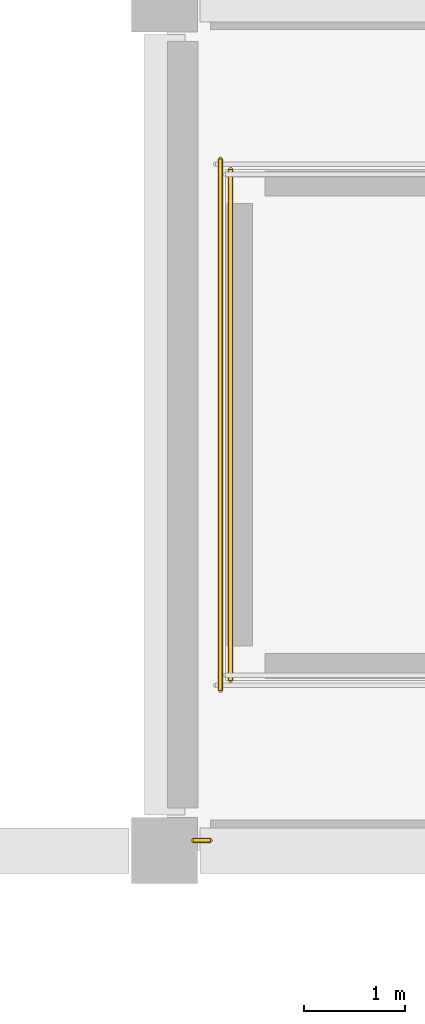
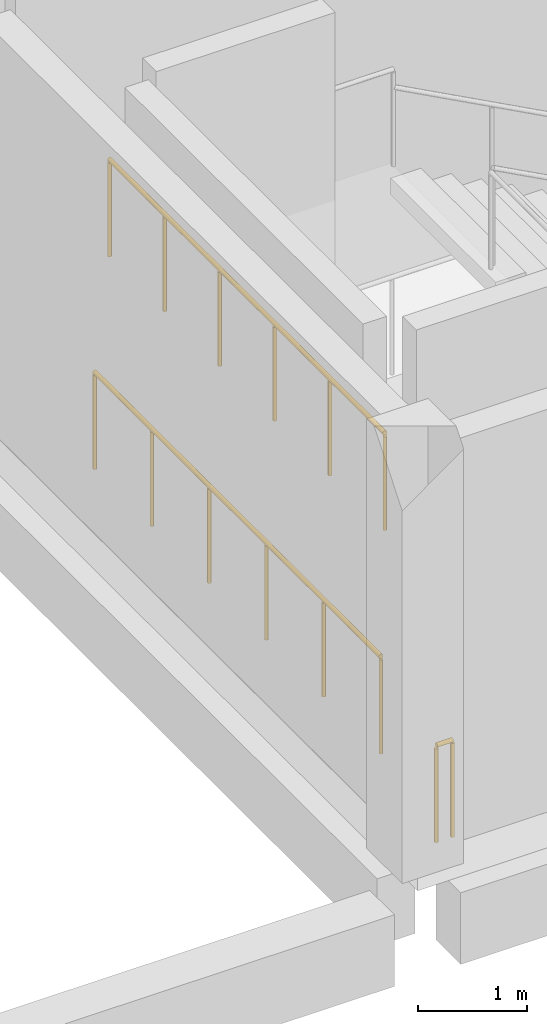
# One storey, part 52 of 63: 3 railings.
"""IFC4 building model written with IfcOpenShell, lengths in metres."""

import ifcopenshell
import ifcopenshell.guid

model = None  # the IFC model being written
_history = None  # IfcOwnerHistory: only IFC2X3 demands one
_inside = {}  # id of a spatial element -> (the spatial element, [elements in it])
_under = {}  # id of a project, library or spatial element -> (it, [spatial elements below it])
_declared = {}  # id of a project -> (the project, [libraries it declares])
_typed = {}  # id of a type object -> (the type object, [elements of that type])
_made_of = {}  # id of a material, layer set ... -> (it, [elements and type objects made of it])


def new_model(schema):
    """Start an empty IFC model of exactly this schema.

    Asked for "IFC4X3", IfcOpenShell would pick the latest addendum, in which some entities
    have other attributes; the version numbers below select the first issue.
    IFC2X3 requires an IfcOwnerHistory on every rooted entity: one is made here for all.
    """
    global model, _history
    if schema == "IFC4X3":
        model = ifcopenshell.file(schema_version=(4, 3, 0, 0))
    else:
        model = ifcopenshell.file(schema=schema)
    _inside.clear()
    _under.clear()
    _declared.clear()
    _typed.clear()
    _made_of.clear()
    _history = None
    if model.schema == "IFC2X3":
        org = make("IfcOrganization", Name="unknown")
        user = make(
            "IfcPersonAndOrganization",
            ThePerson=make("IfcPerson", FamilyName="unknown"),
            TheOrganization=org,
        )
        app = make(
            "IfcApplication",
            ApplicationDeveloper=org,
            Version="unknown",
            ApplicationFullName="unknown",
            ApplicationIdentifier="unknown",
        )
        _history = make(
            "IfcOwnerHistory",
            OwningUser=user,
            OwningApplication=app,
            ChangeAction="ADDED",
            CreationDate=0,
        )
    return model


def make(cls, **values):
    """One entity of the class cls with the attributes given. An attribute that is None is left unset."""
    return model.create_entity(
        cls, **{name: value for name, value in values.items() if value is not None}
    )


def rooted(cls, **values):
    """An entity with a GlobalId (a new one), such as an element, a storey or a relation."""
    return make(cls, GlobalId=ifcopenshell.guid.new(), OwnerHistory=_history, **values)


def si_unit(unit_type, name, prefix=None):
    """IfcSIUnit, for example si_unit("LENGTHUNIT", "METRE", prefix="MILLI")."""
    return make("IfcSIUnit", UnitType=unit_type, Prefix=prefix, Name=name)


def derived_unit(unit_type, elements):
    """IfcDerivedUnit: a product of units, each with its exponent."""
    return make(
        "IfcDerivedUnit",
        Elements=[
            make("IfcDerivedUnitElement", Unit=unit, Exponent=power)
            for unit, power in elements
        ],
        UnitType=unit_type,
    )


def assignment(units):
    """IfcUnitAssignment: the units of a project."""
    return None if units is None else make("IfcUnitAssignment", Units=units)


def point(xyz):
    """IfcCartesianPoint."""
    return None if xyz is None else make("IfcCartesianPoint", Coordinates=xyz)


def direction(xyz):
    """IfcDirection."""
    return None if xyz is None else make("IfcDirection", DirectionRatios=xyz)


def frame(location, z_axis=None, x_axis=None):
    """IfcAxis2Placement3D, a coordinate frame: its origin and axes. An axis left out is left unset."""
    return make(
        "IfcAxis2Placement3D",
        Location=point(location),
        Axis=direction(z_axis),
        RefDirection=direction(x_axis),
    )


def frame_2d(location, x_axis=None):
    """IfcAxis2Placement2D, a coordinate frame in the plane: its origin and x axis."""
    return make(
        "IfcAxis2Placement2D", Location=point(location), RefDirection=direction(x_axis)
    )


def origin():
    """The frame at (0, 0, 0) with its axes left unset."""
    return frame((0.0, 0.0, 0.0))


def origin_2d():
    """The frame at (0, 0) in the plane with its x axis left unset."""
    return frame_2d((0.0, 0.0))


def place(relative_to, where):
    """IfcLocalPlacement: puts the frame where relative to a parent placement (None: the world)."""
    return make(
        "IfcLocalPlacement", PlacementRelTo=relative_to, RelativePlacement=where
    )


def context(
    kind, dimensions, precision=None, world=None, true_north=None, identifier=None
):
    """IfcGeometricRepresentationContext, for example the 3D "Model" context."""
    return make(
        "IfcGeometricRepresentationContext",
        ContextIdentifier=identifier,
        ContextType=kind,
        CoordinateSpaceDimension=dimensions,
        Precision=precision,
        WorldCoordinateSystem=world,
        TrueNorth=true_north,
    )


def subcontext(parent, identifier, kind, view, scale=None):
    """IfcGeometricRepresentationSubContext, for example "Body" below "Model"."""
    return make(
        "IfcGeometricRepresentationSubContext",
        ContextIdentifier=identifier,
        ContextType=kind,
        ParentContext=parent,
        TargetScale=scale,
        TargetView=view,
    )


def project(units=None, contexts=None):
    """IfcProject with its units and contexts."""
    return rooted(
        "IfcProject",
        Name="project",
        RepresentationContexts=contexts,
        UnitsInContext=assignment(units),
    )


def spatial(cls, under=None, at=None, **own):
    """A site, building, storey or space (cls), placed at a placement, below another one or the project."""
    s = rooted(cls, ObjectPlacement=at, **own)
    if under is not None:
        _under.setdefault(under.id(), (under, []))[1].append(s)
    return s


def profile(cls, at=None, kind="AREA", **sizes):
    """A parametric profile (cls). Its sizes go by their IFC names, for example OverallWidth=200.0."""
    return make(cls, ProfileType=kind, Position=at, **sizes)


def circle(**sizes):
    """IfcCircleProfileDef."""
    return profile("IfcCircleProfileDef", **sizes)


def extrude(swept, where, along, depth):
    """IfcExtrudedAreaSolid: the profile swept, set in the frame where, extruded along a direction by depth."""
    return make(
        "IfcExtrudedAreaSolid",
        SweptArea=swept,
        Position=where,
        ExtrudedDirection=direction(along),
        Depth=depth,
    )


def shape(context_of_items, identifier, shape_type, items):
    """IfcShapeRepresentation: the items that make up one representation, for example the "Body"."""
    return make(
        "IfcShapeRepresentation",
        ContextOfItems=context_of_items,
        RepresentationIdentifier=identifier,
        RepresentationType=shape_type,
        Items=items,
    )


def material(Name=None, Category=None):
    """IfcMaterial."""
    return make("IfcMaterial", Name=Name, Category=Category)


def made_of(thing, what):
    """Note that an element or type object is made of a material, layer set ...; save() writes the relation."""
    if what is not None:
        _made_of.setdefault(what.id(), (what, []))[1].append(thing)
    return thing


def type_object(cls, material=None, **own):
    """A type object (cls), such as IfcWallType, which elements share."""
    return made_of(rooted(cls, **own), material)


def element(
    cls,
    number,
    at=None,
    inside=None,
    cuts=None,
    type_object=None,
    material=None,
    context=None,
    identifier="Body",
    shape_type=None,
    held_by="IfcProductDefinitionShape",
    body=None,
    shapes=None,
    **own,
):
    """One element of the class cls, such as IfcWall. Its Tag is "e" and its number.

    at: its placement. inside: the storey or other place that contains it. cuts: it is an
    opening in that element (IfcRelVoidsElement). A single representation is given by context,
    identifier, shape_type and body (its items); several are given by shapes. held_by: the class
    of the entity that holds the representations. save() writes the other relations.
    """
    e = rooted(cls, Tag="e%d" % number, ObjectPlacement=at, **own)
    if body is not None:
        shapes = [shape(context, identifier, shape_type, body)]
    if shapes is not None:
        e.Representation = make(held_by, Representations=shapes)
    if inside is not None:
        _inside.setdefault(inside.id(), (inside, []))[1].append(e)
    if cuts is not None:
        rooted(
            "IfcRelVoidsElement", RelatingBuildingElement=cuts, RelatedOpeningElement=e
        )
    if type_object is not None:
        _typed.setdefault(type_object.id(), (type_object, []))[1].append(e)
    return made_of(e, material)


def aggregate(whole, parts):
    """IfcRelAggregates: a whole, such as a stair, and the parts it consists of."""
    return rooted("IfcRelAggregates", RelatingObject=whole, RelatedObjects=parts)


def save(model, path):
    """Write the relations noted so far, then the file.

    IfcRelAggregates (storeys below a building ...), IfcRelContainedInSpatialStructure (elements
    in a storey), IfcRelDefinesByType, IfcRelAssociatesMaterial and IfcRelDeclares: one each for
    every whole, place, type object, material and project.
    """
    for whole, parts in _under.values():
        aggregate(whole, parts)
    for where, things in _inside.values():
        rooted(
            "IfcRelContainedInSpatialStructure",
            RelatedElements=things,
            RelatingStructure=where,
        )
    for kind, things in _typed.values():
        rooted("IfcRelDefinesByType", RelatedObjects=things, RelatingType=kind)
    for what, things in _made_of.values():
        rooted("IfcRelAssociatesMaterial", RelatedObjects=things, RelatingMaterial=what)
    for by, libraries in _declared.values():
        rooted("IfcRelDeclares", RelatingContext=by, RelatedDefinitions=libraries)
    model.write(path)


model = new_model("IFC4")

# Units and contexts
model_context = context("Model", 3, precision=1e-05, world=origin(), true_north=direction((0.0, 1.0)))
body_context = subcontext(model_context, "Body", "Model", "MODEL_VIEW")
ifc_project = project(units=[si_unit("LENGTHUNIT", "METRE"), si_unit("AREAUNIT", "SQUARE_METRE"), si_unit("VOLUMEUNIT", "CUBIC_METRE"), si_unit("PLANEANGLEUNIT", "RADIAN"), si_unit("MASSUNIT", "GRAM", prefix="KILO"), derived_unit("THERMALTRANSMITTANCEUNIT", [(si_unit("POWERUNIT", "WATT"), 1), (si_unit("LENGTHUNIT", "METRE"), -2), (si_unit("THERMODYNAMICTEMPERATUREUNIT", "KELVIN"), -1)])], contexts=[model_context])

# Site, building, storey
site_placement = place(None, origin())
site = spatial("IfcSite", under=ifc_project, at=site_placement, CompositionType="ELEMENT")
building_placement = place(site_placement, origin())
building = spatial("IfcBuilding", under=site, at=building_placement, Name="Elbkamm Science Centre", CompositionType="ELEMENT")
storey_placement = place(building_placement, frame((0.0, 0.0, 5.10009765625)))
storey = spatial("IfcBuildingStorey", under=building, at=storey_placement, Name="L01", CompositionType="ELEMENT", Elevation=5.10009765625)

# Railings
ifc_material = material(Name="Stainless steel EN 1.4401", Category="steel")
railing_type_1 = type_object("IfcRailingType", Name="RAIL-EXT-GUARD-1100", PredefinedType="GUARDRAIL", material=ifc_material)
railing_1_placement = place(storey_placement, frame((126.449951171875, 25.300048828125, 0.0)))
element("IfcRailing", 1, at=railing_1_placement, inside=storey, type_object=railing_type_1, Name="L01 Slab Edge Perimeter Guard 032", PredefinedType="GUARDRAIL", context=body_context, shape_type="SweptSolid", body=[
    extrude(circle(Radius=0.02392578125, at=origin_2d()), frame((0.0, 0.0, 1.078125), z_axis=(-1.0, 0.0, 0.0), x_axis=(0.0, -1.0, 0.0)), (0.0, 0.0, 1.0), 0.169921875),
    extrude(circle(Radius=0.02001953125, at=origin_2d()), origin(), (0.0, 0.0, 1.0), 1.048095703125),
    extrude(circle(Radius=0.02001953125, at=origin_2d()), frame((-0.169921875, 0.0, 0.0)), (0.0, 0.0, 1.0), 1.048095703125),
])
railing_type_2 = type_object("IfcRailingType", Name="RAIL-GUARD-1100", PredefinedType="GUARDRAIL", material=ifc_material)
railing_2_placement = place(storey_placement, frame((126.64990234375, 31.919921875, 2.39990234375)))
element("IfcRailing", 2, at=railing_2_placement, inside=storey, type_object=railing_type_2, Name="L01 ST-C4 stair guard 5", PredefinedType="GUARDRAIL", context=body_context, shape_type="SweptSolid", body=[
    extrude(circle(Radius=0.02392578125, at=origin_2d()), frame((0.0, 0.0, 1.078125), z_axis=(0.0, -1.0, 0.0), x_axis=(1.0, 0.0, 0.0)), (0.0, 0.0, 1.0), 5.0400390625),
    extrude(circle(Radius=0.02001953125, at=origin_2d()), origin(), (0.0, 0.0, 1.0), 1.048095703125),
    extrude(circle(Radius=0.02001953125, at=origin_2d()), frame((0.0, -1.008056640625, 0.0)), (0.0, 0.0, 1.0), 1.048095703125),
    extrude(circle(Radius=0.02001953125, at=origin_2d()), frame((0.0, -2.01611328125, 0.0)), (0.0, 0.0, 1.0), 1.048095703125),
    extrude(circle(Radius=0.02001953125, at=origin_2d()), frame((0.0, -3.02392578125, 0.0)), (0.0, 0.0, 1.0), 1.048095703125),
    extrude(circle(Radius=0.02001953125, at=origin_2d()), frame((0.0, -4.031982421875, 0.0)), (0.0, 0.0, 1.0), 1.048095703125),
    extrude(circle(Radius=0.02001953125, at=origin_2d()), frame((0.0, -5.0400390625, 0.0)), (0.0, 0.0, 1.0), 1.048095703125),
])
railing_3_placement = place(storey_placement, frame((126.550048828125, 32.02001953125, 0.0)))
element("IfcRailing", 3, at=railing_3_placement, inside=storey, type_object=railing_type_2, Name="L01 ST-C4 stair guard 12", PredefinedType="GUARDRAIL", context=body_context, shape_type="SweptSolid", body=[
    extrude(circle(Radius=0.02392578125, at=origin_2d()), frame((0.0, 0.0, 1.078125), z_axis=(0.0, -1.0, 0.0), x_axis=(1.0, 0.0, 0.0)), (0.0, 0.0, 1.0), 5.239990234375),
    extrude(circle(Radius=0.02001953125, at=origin_2d()), origin(), (0.0, 0.0, 1.0), 1.048095703125),
    extrude(circle(Radius=0.02001953125, at=origin_2d()), frame((0.0, -1.048095703125, 0.0)), (0.0, 0.0, 1.0), 1.048095703125),
    extrude(circle(Radius=0.02001953125, at=origin_2d()), frame((0.0, -2.095947265625, 0.0)), (0.0, 0.0, 1.0), 1.048095703125),
    extrude(circle(Radius=0.02001953125, at=origin_2d()), frame((0.0, -3.14404296875, 0.0)), (0.0, 0.0, 1.0), 1.048095703125),
    extrude(circle(Radius=0.02001953125, at=origin_2d()), frame((0.0, -4.19189453125, 0.0)), (0.0, 0.0, 1.0), 1.048095703125),
    extrude(circle(Radius=0.02001953125, at=origin_2d()), frame((0.0, -5.239990234375, 0.0)), (0.0, 0.0, 1.0), 1.048095703125),
])

save(model, "model.ifc")
